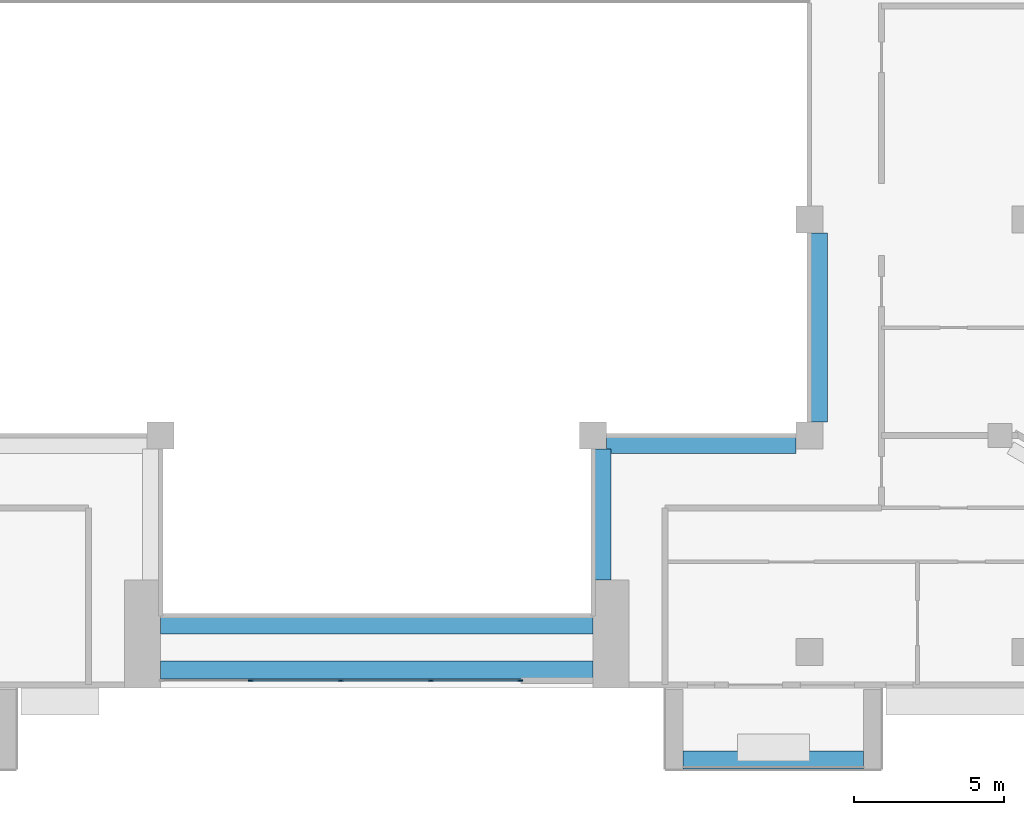
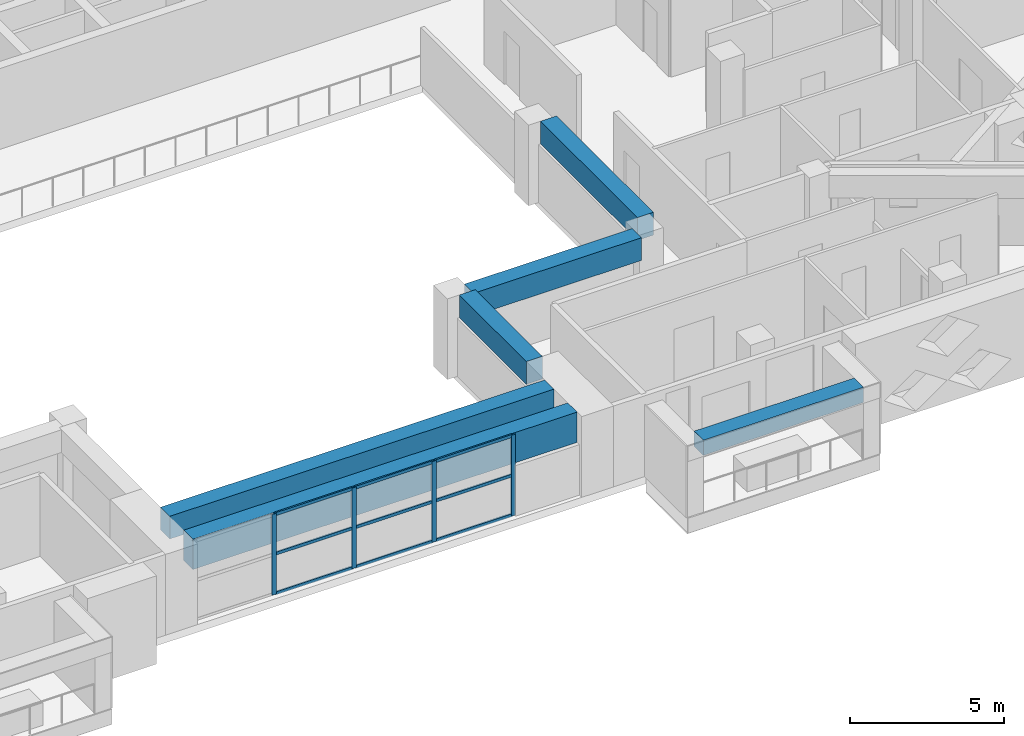
# One storey, part 4 of 20: 13 members, 6 beams, 1 element without a shape of its own.
"""IFC4 building model written with IfcOpenShell, lengths in metres."""

from ifc_helpers import new_model, si_unit, direction, frame, origin, origin_2d, place, context, subcontext, project, spatial, rectangle, extrude, source, transform, mapped, material, layer, layer_set, material_profile, profile_set, type_object, element, aggregate, save


model = new_model("IFC4")

# Units and contexts
model_context = context("Model", 3, precision=1e-05, world=origin(), true_north=direction((0.0, 1.0)))
body_context = subcontext(model_context, "Body", "Model", "MODEL_VIEW")
ifc_project = project(units=[si_unit("LENGTHUNIT", "METRE"), si_unit("AREAUNIT", "SQUARE_METRE"), si_unit("VOLUMEUNIT", "CUBIC_METRE"), si_unit("PLANEANGLEUNIT", "RADIAN"), si_unit("MASSUNIT", "GRAM", prefix="KILO")], contexts=[model_context])

# Site, building, storey
site_placement = place(None, origin())
site = spatial("IfcSite", under=ifc_project, at=site_placement, CompositionType="ELEMENT")
building_placement = place(site_placement, origin())
building = spatial("IfcBuilding", under=site, at=building_placement, Name="Saffron Iwan Residences", CompositionType="ELEMENT")
storey_placement = place(building_placement, frame((0.0, 0.0, 174.5)))
storey = spatial("IfcBuildingStorey", under=building, at=storey_placement, Name="L46", CompositionType="ELEMENT", Elevation=174.5)

# Beams
ifc_material_1 = material(Name="Concrete C50/60", Category="concrete")
ifc_material_profile_1 = material_profile(ifc_material_1, rectangle(XDim=0.60009765625, YDim=1.199951171875, at=origin_2d()), Name="RC 600x1200")
ifc_profile_set_1 = profile_set([ifc_material_profile_1], Name="Concrete C50/60")
beam_type_1 = type_object("IfcBeamType", Name="LINTEL BEAM RC 600x1200 C50/60 TOP 3200", PredefinedType="LINTEL", material=ifc_profile_set_1)
shared_shape_1 = source(origin(), body_context, "Body", "SweptSolid", [
    extrude(rectangle(XDim=0.60009765625, YDim=1.199951171875, at=origin_2d()), origin(), (0.0, 0.0, 1.0), 14.400146484375),
])
beam_1_placement = place(storey_placement, frame((57.60009765625, 40.199951171875, 2.60009765625), z_axis=(-1.0, 0.0, 0.0), x_axis=(0.0, -1.0, 0.0)))
element("IfcBeam", 1, at=beam_1_placement, inside=storey, type_object=beam_type_1, Name="Lintel beam over the iwan", PredefinedType="LINTEL", context=body_context, shape_type="MappedRepresentation", body=[
    mapped(shared_shape_1, transform((0.0, 0.0, 0.0))),
])
ifc_material_profile_2 = material_profile(ifc_material_1, rectangle(XDim=0.60009765625, YDim=0.89990234375, at=origin_2d()), Name="RC 600x900")
ifc_profile_set_2 = profile_set([ifc_material_profile_2], Name="Concrete C50/60")
beam_type_2 = type_object("IfcBeamType", Name="BEAM RC 600x900 C50/60 TOP 3200", PredefinedType="BEAM", material=ifc_profile_set_2)
shared_shape_2 = source(origin(), body_context, "Body", "SweptSolid", [
    extrude(rectangle(XDim=0.60009765625, YDim=0.89990234375, at=origin_2d()), origin(), (0.0, 0.0, 1.0), 14.400146484375),
])
beam_2_placement = place(storey_placement, frame((57.60009765625, 41.699951171875, 2.75), z_axis=(-1.0, 0.0, 0.0), x_axis=(0.0, -1.0, 0.0)))
element("IfcBeam", 2, at=beam_2_placement, inside=storey, type_object=beam_type_2, Name="Atrium edge beam", PredefinedType="BEAM", context=body_context, shape_type="MappedRepresentation", body=[
    mapped(shared_shape_2, transform((0.0, 0.0, 0.0))),
])
shared_shape_3 = source(origin(), body_context, "Body", "SweptSolid", [
    extrude(rectangle(XDim=0.60009765625, YDim=0.89990234375, at=origin_2d()), origin(), (0.0, 0.0, 1.0), 4.35009765625),
])
beam_3_placement = place(storey_placement, frame((57.89990234375, 47.550048828125, 2.75), z_axis=(0.0, -1.0, 0.0), x_axis=(1.0, 0.0, 0.0)))
element("IfcBeam", 3, at=beam_3_placement, inside=storey, type_object=beam_type_2, Name="Atrium edge beam", PredefinedType="BEAM", context=body_context, shape_type="MappedRepresentation", body=[
    mapped(shared_shape_3, transform((0.0, 0.0, 0.0))),
])
shared_shape_4 = source(origin(), body_context, "Body", "SweptSolid", [
    extrude(rectangle(XDim=0.60009765625, YDim=0.89990234375, at=origin_2d()), origin(), (0.0, 0.0, 1.0), 6.300048828125),
])
for number, where, z_axis, x_axis, name in (
    (4, (64.35009765625, 47.699951171875, 2.75), (-1.0, 0.0, 0.0), (0.0, -1.0, 0.0), "Atrium edge beam"),
    (5, (65.10009765625, 54.75, 2.75), (0.0, -1.0, 0.0), (1.0, 0.0, 0.0), "Atrium edge beam"),
):
    element("IfcBeam", number, at=place(storey_placement, frame(where, z_axis=z_axis, x_axis=x_axis)), inside=storey, type_object=beam_type_2, Name=name, PredefinedType="BEAM", context=body_context, shape_type="MappedRepresentation", body=[
        mapped(shared_shape_4, transform((0.0, 0.0, 0.0))),
    ])

# Curtain wall, members
ifc_material_2 = material(Name="Clear glass, laminated double glazed", Category="glass")
ifc_layer = layer(ifc_material_2, 0.199951171875)
ifc_layer_set = layer_set([ifc_layer], Name="Clear glass, laminated double glazed")
curtain_wall_type = type_object("IfcCurtainWallType", Name="CW-B IWAN PORTAL", PredefinedType="NOTDEFINED", material=ifc_layer_set)
curtain_wall_placement = place(storey_placement, origin())
curtain_wall = element("IfcCurtainWall", 6, at=curtain_wall_placement, inside=storey, type_object=curtain_wall_type, Name="Iwan portal glazing L46.1", PredefinedType="NOTDEFINED")
ifc_material_3 = material(Name="Aluminium 6063-T6", Category="aluminium")
ifc_material_profile_3 = material_profile(ifc_material_3, rectangle(XDim=0.06005859375, YDim=0.1201171875, at=origin_2d()), Name="CW-B TRANSOM 60 x 120")
ifc_profile_set_3 = profile_set([ifc_material_profile_3], Name="Aluminium 6063-T6")
member_type_1 = type_object("IfcMemberType", Name="CW-B TRANSOM 60 x 120", PredefinedType="USERDEFINED", material=ifc_profile_set_3)
shared_shape_5 = source(origin(), body_context, "Body", "SweptSolid", [
    extrude(rectangle(XDim=0.06005859375, YDim=0.1201171875, at=origin_2d()), origin(), (0.0, 0.0, 1.0), 2.909912109375),
])
member_1_placement = place(storey_placement, frame((52.22998046875, 39.85009765625, 0.030029296875), z_axis=(1.0, 0.0, 0.0), x_axis=(0.0, 1.0, 0.0)))
member_1 = element("IfcMember", 7, at=member_1_placement, type_object=member_type_1, Name="CW-B transom 4.1", ObjectType="TRANSOM", PredefinedType="USERDEFINED", context=body_context, shape_type="MappedRepresentation", body=[
    mapped(shared_shape_5, transform((0.0, 0.0, 0.0))),
])
member_2_placement = place(storey_placement, frame((52.22998046875, 39.85009765625, 1.60009765625), z_axis=(1.0, 0.0, 0.0), x_axis=(0.0, 1.0, 0.0)))
member_2 = element("IfcMember", 8, at=member_2_placement, type_object=member_type_1, Name="CW-B transom 4.2", ObjectType="TRANSOM", PredefinedType="USERDEFINED", context=body_context, shape_type="MappedRepresentation", body=[
    mapped(shared_shape_5, transform((0.0, 0.0, 0.0))),
])
member_3_placement = place(storey_placement, frame((52.22998046875, 39.85009765625, 3.169921875), z_axis=(1.0, 0.0, 0.0), x_axis=(0.0, 1.0, 0.0)))
member_3 = element("IfcMember", 9, at=member_3_placement, type_object=member_type_1, Name="CW-B transom 4.3", ObjectType="TRANSOM", PredefinedType="USERDEFINED", context=body_context, shape_type="MappedRepresentation", body=[
    mapped(shared_shape_5, transform((0.0, 0.0, 0.0))),
])
shared_shape_6 = source(origin(), body_context, "Body", "SweptSolid", [
    extrude(rectangle(XDim=0.06005859375, YDim=0.1201171875, at=origin_2d()), origin(), (0.0, 0.0, 1.0), 2.93994140625),
])
member_4_placement = place(storey_placement, frame((46.22998046875, 39.85009765625, 0.030029296875), z_axis=(1.0, 0.0, 0.0), x_axis=(0.0, 1.0, 0.0)))
member_4 = element("IfcMember", 10, at=member_4_placement, type_object=member_type_1, Name="CW-B transom 2.1", ObjectType="TRANSOM", PredefinedType="USERDEFINED", context=body_context, shape_type="MappedRepresentation", body=[
    mapped(shared_shape_6, transform((0.0, 0.0, 0.0))),
])
member_5_placement = place(storey_placement, frame((46.22998046875, 39.85009765625, 1.60009765625), z_axis=(1.0, 0.0, 0.0), x_axis=(0.0, 1.0, 0.0)))
member_5 = element("IfcMember", 11, at=member_5_placement, type_object=member_type_1, Name="CW-B transom 2.2", ObjectType="TRANSOM", PredefinedType="USERDEFINED", context=body_context, shape_type="MappedRepresentation", body=[
    mapped(shared_shape_6, transform((0.0, 0.0, 0.0))),
])
member_6_placement = place(storey_placement, frame((46.22998046875, 39.85009765625, 3.169921875), z_axis=(1.0, 0.0, 0.0), x_axis=(0.0, 1.0, 0.0)))
member_6 = element("IfcMember", 12, at=member_6_placement, type_object=member_type_1, Name="CW-B transom 2.3", ObjectType="TRANSOM", PredefinedType="USERDEFINED", context=body_context, shape_type="MappedRepresentation", body=[
    mapped(shared_shape_6, transform((0.0, 0.0, 0.0))),
])
member_7_placement = place(storey_placement, frame((49.22998046875, 39.85009765625, 0.030029296875), z_axis=(1.0, 0.0, 0.0), x_axis=(0.0, 1.0, 0.0)))
member_7 = element("IfcMember", 13, at=member_7_placement, type_object=member_type_1, Name="CW-B transom 3.1", ObjectType="TRANSOM", PredefinedType="USERDEFINED", context=body_context, shape_type="MappedRepresentation", body=[
    mapped(shared_shape_6, transform((0.0, 0.0, 0.0))),
])
member_8_placement = place(storey_placement, frame((49.22998046875, 39.85009765625, 1.60009765625), z_axis=(1.0, 0.0, 0.0), x_axis=(0.0, 1.0, 0.0)))
member_8 = element("IfcMember", 14, at=member_8_placement, type_object=member_type_1, Name="CW-B transom 3.2", ObjectType="TRANSOM", PredefinedType="USERDEFINED", context=body_context, shape_type="MappedRepresentation", body=[
    mapped(shared_shape_6, transform((0.0, 0.0, 0.0))),
])
member_9_placement = place(storey_placement, frame((49.22998046875, 39.85009765625, 3.169921875), z_axis=(1.0, 0.0, 0.0), x_axis=(0.0, 1.0, 0.0)))
member_9 = element("IfcMember", 15, at=member_9_placement, type_object=member_type_1, Name="CW-B transom 3.3", ObjectType="TRANSOM", PredefinedType="USERDEFINED", context=body_context, shape_type="MappedRepresentation", body=[
    mapped(shared_shape_6, transform((0.0, 0.0, 0.0))),
])

# Beam
ifc_material_4 = material(Name="Concrete C50/60 white painted", Category="concrete")
ifc_material_profile_4 = material_profile(ifc_material_4, rectangle(XDim=0.60009765625, YDim=0.60009765625, at=origin_2d()), Name="BALCONY FASCIA BEAM 600 x 600")
ifc_profile_set_4 = profile_set([ifc_material_profile_4], Name="Concrete C50/60 white painted")
beam_type_3 = type_object("IfcBeamType", Name="BALCONY FASCIA BEAM 600 x 600", PredefinedType="BEAM", material=ifc_profile_set_4)
shared_shape_7 = source(origin(), body_context, "Body", "SweptSolid", [
    extrude(rectangle(XDim=0.60009765625, YDim=0.60009765625, at=origin_2d()), origin(), (0.0, 0.0, 1.0), 6.0),
])
beam_4_placement = place(storey_placement, frame((60.60009765625, 37.199951171875, 2.550048828125), z_axis=(1.0, 0.0, 0.0), x_axis=(0.0, 1.0, 0.0)))
element("IfcBeam", 16, at=beam_4_placement, inside=storey, type_object=beam_type_3, Name="Balcony fascia beam L46 11-1", PredefinedType="BEAM", context=body_context, shape_type="MappedRepresentation", body=[
    mapped(shared_shape_7, transform((0.0, 0.0, 0.0))),
])

# Member
ifc_material_profile_5 = material_profile(ifc_material_3, rectangle(XDim=0.06005859375, YDim=0.159912109375, at=origin_2d()), Name="CW-B MULLION 60 x 160")
ifc_profile_set_5 = profile_set([ifc_material_profile_5], Name="Aluminium 6063-T6")
member_type_2 = type_object("IfcMemberType", Name="CW-B MULLION 60 x 160", PredefinedType="MULLION", material=ifc_profile_set_5)
shared_shape_8 = source(origin(), body_context, "Body", "SweptSolid", [
    extrude(rectangle(XDim=0.06005859375, YDim=0.159912109375, at=origin_2d()), origin(), (0.0, 0.0, 1.0), 3.199951171875),
])
member_10_placement = place(storey_placement, frame((46.199951171875, 39.85009765625, 0.0), z_axis=(0.0, 0.0, 1.0), x_axis=(0.0, 1.0, 0.0)))
member_10 = element("IfcMember", 17, at=member_10_placement, type_object=member_type_2, Name="CW-B mullion 2", PredefinedType="MULLION", context=body_context, shape_type="MappedRepresentation", body=[
    mapped(shared_shape_8, transform((0.0, 0.0, 0.0))),
])

member_11_placement = place(storey_placement, frame((49.199951171875, 39.85009765625, 0.0), z_axis=(0.0, 0.0, 1.0), x_axis=(0.0, 1.0, 0.0)))
member_11 = element("IfcMember", 18, at=member_11_placement, type_object=member_type_2, Name="CW-B mullion 3", PredefinedType="MULLION", context=body_context, shape_type="MappedRepresentation", body=[
    mapped(shared_shape_8, transform((0.0, 0.0, 0.0))),
])

member_12_placement = place(storey_placement, frame((52.199951171875, 39.85009765625, 0.0), z_axis=(0.0, 0.0, 1.0), x_axis=(0.0, 1.0, 0.0)))
member_12 = element("IfcMember", 19, at=member_12_placement, type_object=member_type_2, Name="CW-B mullion 4", PredefinedType="MULLION", context=body_context, shape_type="MappedRepresentation", body=[
    mapped(shared_shape_8, transform((0.0, 0.0, 0.0))),
])

member_13_placement = place(storey_placement, frame((55.169921875, 39.85009765625, 0.0), z_axis=(0.0, 0.0, 1.0), x_axis=(0.0, 1.0, 0.0)))
member_13 = element("IfcMember", 20, at=member_13_placement, type_object=member_type_2, Name="CW-B mullion 5", PredefinedType="MULLION", context=body_context, shape_type="MappedRepresentation", body=[
    mapped(shared_shape_8, transform((0.0, 0.0, 0.0))),
])

aggregate(curtain_wall, [member_10, member_11, member_12, member_13, member_4, member_5, member_6, member_7, member_8, member_9, member_1, member_2, member_3])

save(model, "model.ifc")
